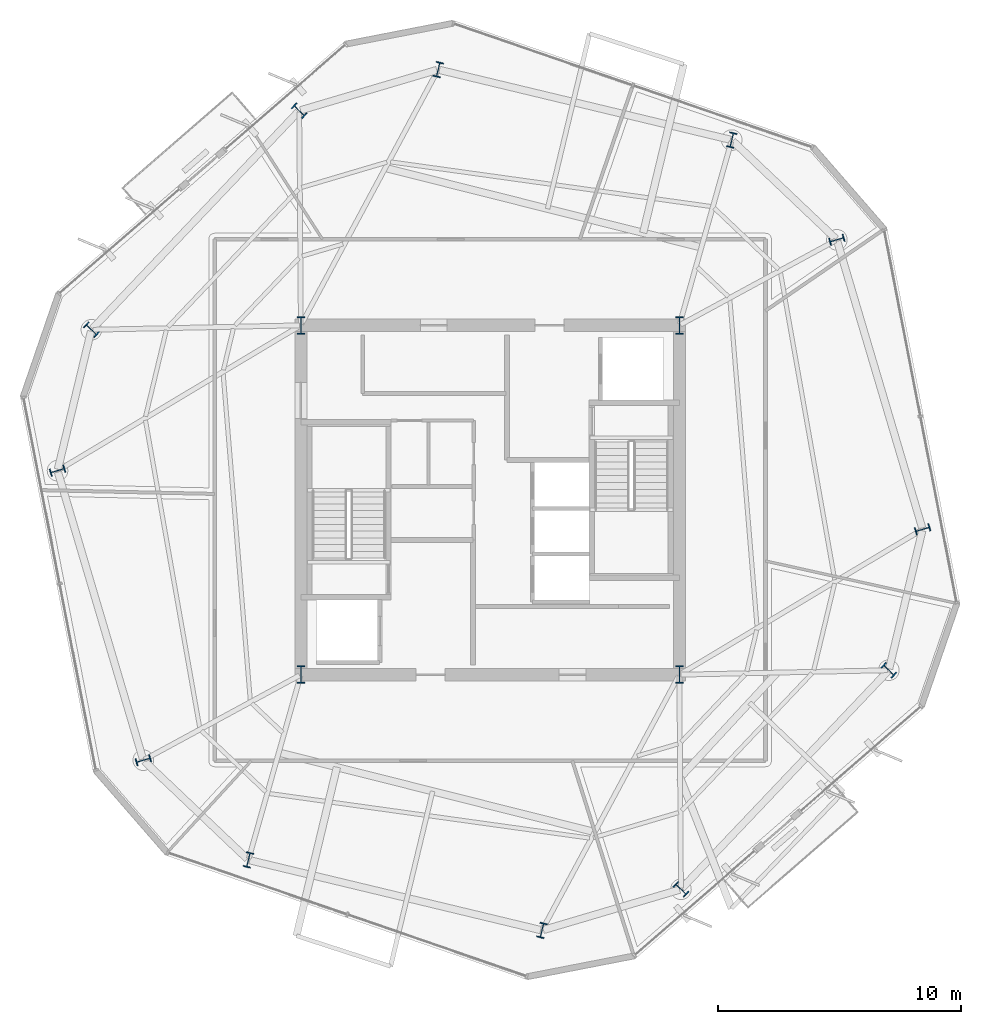
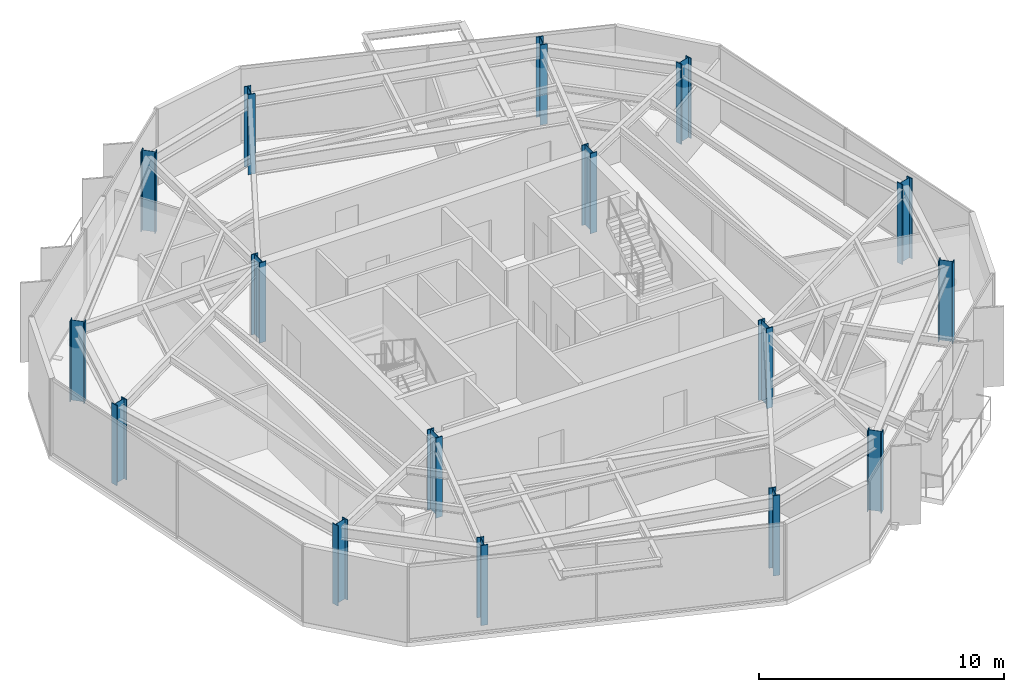
# One storey, part 1 of 11: 16 columns.
"""IFC4 building model written with IfcOpenShell, lengths in metres."""

from ifc_helpers import new_model, si_unit, direction, frame, origin, origin_2d, place, context, subcontext, project, spatial, i_section, extrude, material, material_profile, profile_set, type_object, element, save


model = new_model("IFC4")

# Units and contexts
model_context = context("Model", 3, precision=1e-05, world=origin(), true_north=direction((0.0, 1.0)))
body_context = subcontext(model_context, "Body", "Model", "MODEL_VIEW")
ifc_project = project(units=[si_unit("LENGTHUNIT", "METRE"), si_unit("AREAUNIT", "SQUARE_METRE"), si_unit("VOLUMEUNIT", "CUBIC_METRE"), si_unit("PLANEANGLEUNIT", "RADIAN"), si_unit("MASSUNIT", "GRAM", prefix="KILO")], contexts=[model_context])

# Site, building, storey
site_placement = place(None, origin())
site = spatial("IfcSite", under=ifc_project, at=site_placement, CompositionType="ELEMENT")
building_placement = place(site_placement, origin())
building = spatial("IfcBuilding", under=site, at=building_placement, Name="Kranzbogen Civic Tower", CompositionType="ELEMENT")
storey_placement = place(building_placement, frame((0.0, 0.0, 188.800048828125)))
storey = spatial("IfcBuildingStorey", under=building, at=storey_placement, Name="L45", CompositionType="ELEMENT", Elevation=188.800048828125)

# Columns
ifc_material_1 = material(Name="Steel S355", Category="steel")
ifc_material_profile_1 = material_profile(ifc_material_1, i_section(OverallWidth=0.304931640625, OverallDepth=0.6201171875, WebThickness=0.02099609375, FlangeThickness=0.0400390625, at=origin_2d()), Name="HEM 600")
ifc_profile_set_1 = profile_set([ifc_material_profile_1], Name="Steel S355")
column_type_1 = type_object("IfcColumnType", Name="Structural Column HEM 600", PredefinedType="COLUMN", material=ifc_profile_set_1)
for number, where, z_axis, x_axis, name in (
    (1, (34.9609375, 39.8349609375, 0.0), (0.0, 0.0, 1.0), (-0.972369920398, 0.233445363856, 0.0), "L45 tower perimeter tube column 01"),
    (2, (22.860107421875, 42.739990234375, 0.0), (0.0, 0.0, 1.0), (-0.972369920398, 0.233445363856, 0.0), "L45 tower perimeter tube column 02"),
    (3, (17.133056640625, 41.0439453125, 0.0), (0.0, 0.0, 1.0), (0.688354575694, 0.725374371012, 0.0), "L45 tower perimeter tube column 03"),
    (4, (8.56689453125, 32.01611328125, 0.0), (0.0, 0.0, 1.0), (0.688354575694, 0.725374371012, 0.0), "L45 tower perimeter tube column 04"),
    (5, (7.172119140625, 26.208984375, 0.0), (0.0, 0.0, 1.0), (-0.284015344704, 0.958819734868, 0.0), "L45 tower perimeter tube column 05"),
    (6, (10.70703125, 14.27587890625, 0.0), (0.0, 0.0, 1.0), (-0.284015344704, 0.958819734868, 0.0), "L45 tower perimeter tube column 06"),
    (7, (15.0390625, 10.1650390625, 0.0), (0.0, 0.0, 1.0), (-0.972369920398, 0.233445363856, 0.0), "L45 tower perimeter tube column 07"),
    (8, (27.139892578125, 7.260009765625, 0.0), (0.0, 0.0, 1.0), (-0.972369920398, 0.233445363856, 0.0), "L45 tower perimeter tube column 08"),
    (9, (32.866943359375, 8.9560546875, 0.0), (0.0, 0.0, 1.0), (0.688354575694, 0.725374371012, 0.0), "L45 tower perimeter tube column 09"),
    (10, (41.43310546875, 17.98388671875, 0.0), (0.0, 0.0, 1.0), (0.688354575694, 0.725374371012, 0.0), "L45 tower perimeter tube column 10"),
    (11, (42.827880859375, 23.791015625, 0.0), (0.0, 0.0, 1.0), (-0.284015344704, 0.958819734868, 0.0), "L45 tower perimeter tube column 11"),
    (12, (39.29296875, 35.72412109375, 0.0), (0.0, 0.0, 1.0), (-0.284015344704, 0.958819734868, 0.0), "L45 tower perimeter tube column 12"),
):
    element("IfcColumn", number, at=place(storey_placement, frame(where, z_axis=z_axis, x_axis=x_axis)), inside=storey, type_object=column_type_1, Name=name, PredefinedType="COLUMN", context=body_context, shape_type="SweptSolid", body=[
        extrude(i_section(OverallWidth=0.304931640625, OverallDepth=0.6201171875, WebThickness=0.02099609375, FlangeThickness=0.0400390625, at=origin_2d()), origin(), (0.0, 0.0, 1.0), 4.0),
    ])
ifc_material_2 = material(Name="Steel S460", Category="steel")
ifc_material_profile_2 = material_profile(ifc_material_2, i_section(OverallWidth=0.303955078125, OverallDepth=0.716064453125, WebThickness=0.02099609375, FlangeThickness=0.0400390625, at=origin_2d()), Name="HEM 700")
ifc_profile_set_2 = profile_set([ifc_material_profile_2], Name="Steel S460")
column_type_2 = type_object("IfcColumnType", Name="Structural Column HEM 700", PredefinedType="COLUMN", material=ifc_profile_set_2)
for number, where, z_axis, x_axis, name in (
    (13, (17.199951171875, 17.800048828125, 0.0), (0.0, 0.0, 1.0), (1.0, 0.0, 0.0), "L45 composite core corner column 1"),
    (14, (32.800048828125, 17.800048828125, 0.0), (0.0, 0.0, 1.0), (1.0, 0.0, 0.0), "L45 composite core corner column 2"),
    (15, (32.800048828125, 32.199951171875, 0.0), (0.0, 0.0, 1.0), (1.0, 0.0, 0.0), "L45 composite core corner column 3"),
    (16, (17.199951171875, 32.199951171875, 0.0), (0.0, 0.0, 1.0), (1.0, 0.0, 0.0), "L45 composite core corner column 4"),
):
    element("IfcColumn", number, at=place(storey_placement, frame(where, z_axis=z_axis, x_axis=x_axis)), inside=storey, type_object=column_type_2, Name=name, PredefinedType="COLUMN", context=body_context, shape_type="SweptSolid", body=[
        extrude(i_section(OverallWidth=0.303955078125, OverallDepth=0.716064453125, WebThickness=0.02099609375, FlangeThickness=0.0400390625, at=origin_2d()), origin(), (0.0, 0.0, 1.0), 4.0),
    ])

save(model, "model.ifc")
